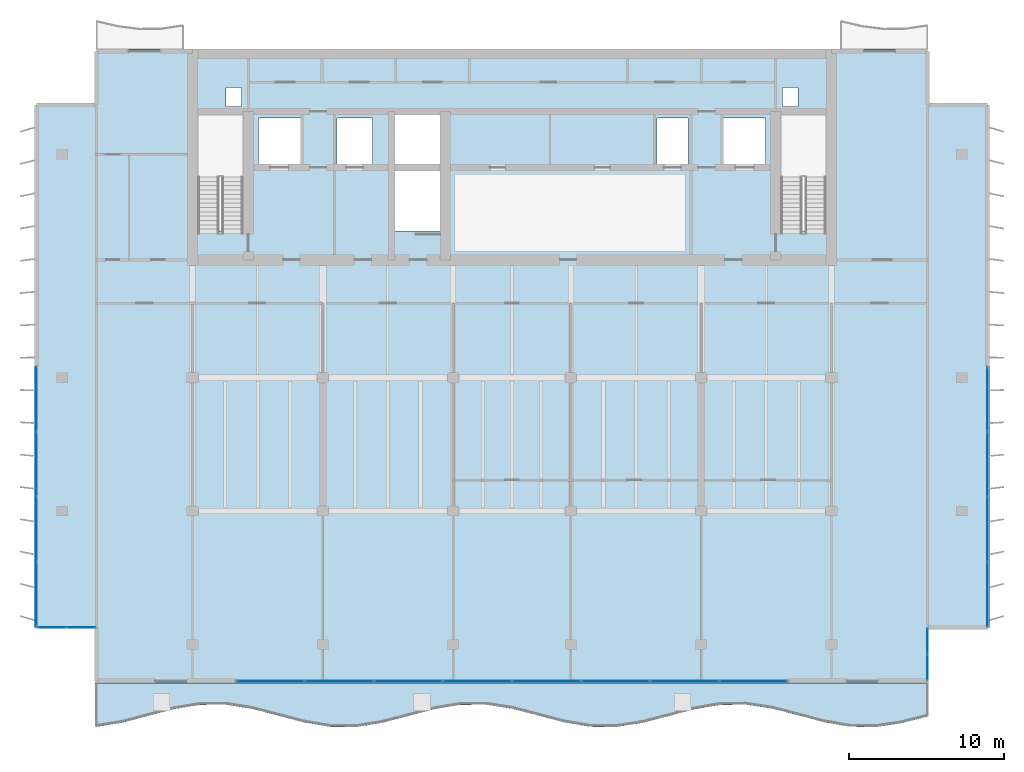
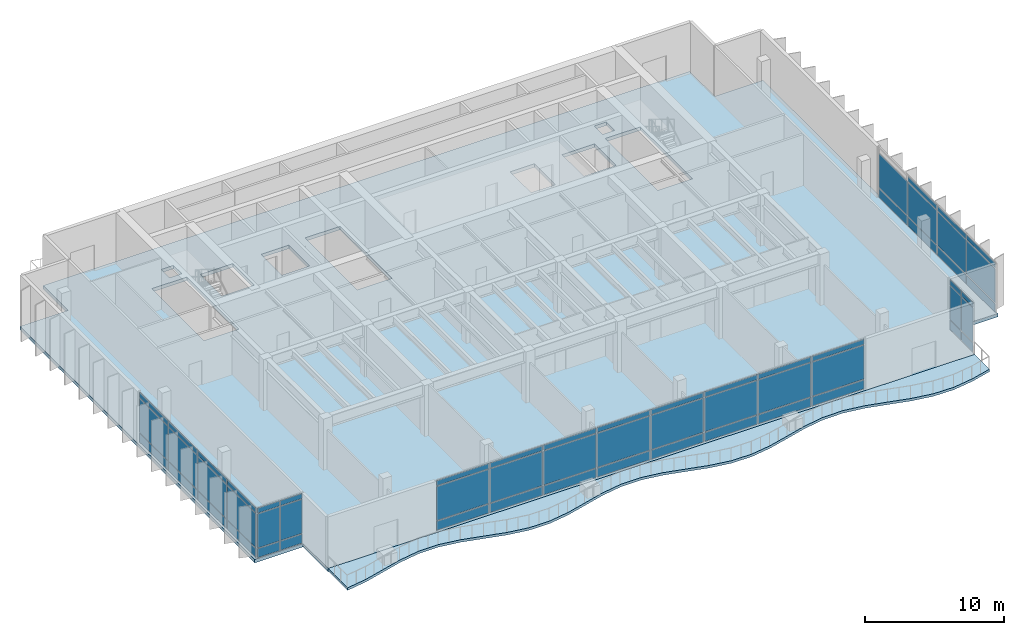
# One storey, part 5 of 14: 59 plates, 2 slabs, 5 elements without a shape of their own.
"""IFC4 building model written with IfcOpenShell, lengths in metres."""

from ifc_helpers import new_model, si_unit, direction, frame, origin, origin_2d, place, context, subcontext, project, spatial, polyline, rectangle, outline, extrude, material, layer, layer_set, type_object, element, aggregate, save


model = new_model("IFC4")

# Units and contexts
model_context = context("Model", 3, precision=1e-05, world=origin(), true_north=direction((0.0, 1.0)))
body_context = subcontext(model_context, "Body", "Model", "MODEL_VIEW")
ifc_project = project(units=[si_unit("LENGTHUNIT", "METRE"), si_unit("AREAUNIT", "SQUARE_METRE"), si_unit("VOLUMEUNIT", "CUBIC_METRE"), si_unit("PLANEANGLEUNIT", "RADIAN"), si_unit("MASSUNIT", "GRAM", prefix="KILO")], contexts=[model_context])

# Site, building, storey
site_placement = place(None, origin())
site = spatial("IfcSite", under=ifc_project, at=site_placement, CompositionType="ELEMENT")
building_placement = place(site_placement, origin())
building = spatial("IfcBuilding", under=site, at=building_placement, Name="Caelmar Bay Residences", CompositionType="ELEMENT")
storey_placement = place(building_placement, frame((0.0, 0.0, 269.39990234375)))
storey = spatial("IfcBuildingStorey", under=building, at=storey_placement, Name="L76", CompositionType="ELEMENT", Elevation=269.39990234375)

# Curtain wall, plates
ifc_material_1 = material(Name="Anodised bronze aluminium 6063-T6 and laminated glass", Category="aluminium")
ifc_layer_1 = layer(ifc_material_1, 0.179931640625)
ifc_layer_set_1 = layer_set([ifc_layer_1], Name="Anodised bronze aluminium 6063-T6 and laminated glass")
curtain_wall_type_1 = type_object("IfcCurtainWallType", Name="CW6-NTC", PredefinedType="NOTDEFINED", material=ifc_layer_set_1)
curtain_wall_1_placement = place(storey_placement, origin())
curtain_wall_1 = element("IfcCurtainWall", 1, at=curtain_wall_1_placement, inside=storey, type_object=curtain_wall_type_1, Name="CW6 curtain wall L76", PredefinedType="NOTDEFINED")
ifc_material_2 = material(Name="Bronze-tinted laminated low-E hurricane glass 28 mm", Category="glass")
ifc_layer_2 = layer(ifc_material_2, 0.028076171875)
ifc_layer_set_2 = layer_set([ifc_layer_2], Name="Bronze-tinted laminated low-E hurricane glass 28 mm")
plate_type_1 = type_object("IfcPlateType", Name="CWP-GLZ28", PredefinedType="CURTAIN_PANEL", material=ifc_layer_set_2)
plate_1_placement = place(storey_placement, frame((9.232421875, 13.300048828125, 0.080078125), z_axis=(0.0, 0.0, 1.0), x_axis=(1.0, 0.0, 0.0)))
plate_1 = element("IfcPlate", 2, at=plate_1_placement, type_object=plate_type_1, Name="CW6 panel 1.1", PredefinedType="CURTAIN_PANEL", context=body_context, shape_type="SweptSolid", body=[
    extrude(rectangle(XDim=1.804931640625, YDim=0.028076171875, at=origin_2d()), origin(), (0.0, 0.0, 1.0), 0.780029296875),
])
plate_2_placement = place(storey_placement, frame((9.232421875, 13.300048828125, 0.93994140625), z_axis=(0.0, 0.0, 1.0), x_axis=(1.0, 0.0, 0.0)))
plate_2 = element("IfcPlate", 3, at=plate_2_placement, type_object=plate_type_1, Name="CW6 panel 1.2", PredefinedType="CURTAIN_PANEL", context=body_context, shape_type="SweptSolid", body=[
    extrude(rectangle(XDim=1.804931640625, YDim=0.028076171875, at=origin_2d()), origin(), (0.0, 0.0, 1.0), 2.969970703125),
])
plate_3_placement = place(storey_placement, frame((9.232421875, 13.300048828125, 3.990234375), z_axis=(0.0, 0.0, 1.0), x_axis=(1.0, 0.0, 0.0)))
plate_3 = element("IfcPlate", 4, at=plate_3_placement, type_object=plate_type_1, Name="CW6 panel 1.3", PredefinedType="CURTAIN_PANEL", context=body_context, shape_type="SweptSolid", body=[
    extrude(rectangle(XDim=1.804931640625, YDim=0.028076171875, at=origin_2d()), origin(), (0.0, 0.0, 1.0), 0.429931640625),
])
plate_4_placement = place(storey_placement, frame((11.117431640625, 13.300048828125, 0.080078125), z_axis=(0.0, 0.0, 1.0), x_axis=(1.0, 0.0, 0.0)))
plate_4 = element("IfcPlate", 5, at=plate_4_placement, type_object=plate_type_1, Name="CW6 panel 2.1", PredefinedType="CURTAIN_PANEL", context=body_context, shape_type="SweptSolid", body=[
    extrude(rectangle(XDim=1.804931640625, YDim=0.028076171875, at=origin_2d()), origin(), (0.0, 0.0, 1.0), 0.780029296875),
])
plate_5_placement = place(storey_placement, frame((11.117431640625, 13.300048828125, 0.93994140625), z_axis=(0.0, 0.0, 1.0), x_axis=(1.0, 0.0, 0.0)))
plate_5 = element("IfcPlate", 6, at=plate_5_placement, type_object=plate_type_1, Name="CW6 panel 2.2", PredefinedType="CURTAIN_PANEL", context=body_context, shape_type="SweptSolid", body=[
    extrude(rectangle(XDim=1.804931640625, YDim=0.028076171875, at=origin_2d()), origin(), (0.0, 0.0, 1.0), 2.969970703125),
])
plate_6_placement = place(storey_placement, frame((11.117431640625, 13.300048828125, 3.990234375), z_axis=(0.0, 0.0, 1.0), x_axis=(1.0, 0.0, 0.0)))
plate_6 = element("IfcPlate", 7, at=plate_6_placement, type_object=plate_type_1, Name="CW6 panel 2.3", PredefinedType="CURTAIN_PANEL", context=body_context, shape_type="SweptSolid", body=[
    extrude(rectangle(XDim=1.804931640625, YDim=0.028076171875, at=origin_2d()), origin(), (0.0, 0.0, 1.0), 0.429931640625),
])
aggregate(curtain_wall_1, [plate_1, plate_2, plate_3, plate_4, plate_5, plate_6])

curtain_wall_2_placement = place(storey_placement, origin())
curtain_wall_2 = element("IfcCurtainWall", 8, at=curtain_wall_2_placement, inside=storey, type_object=curtain_wall_type_1, Name="CW6 curtain wall L76", PredefinedType="NOTDEFINED")
plate_7_placement = place(storey_placement, frame((65.699951171875, 10.732421875, 0.080078125), z_axis=(0.0, 0.0, 1.0), x_axis=(0.0, 1.0, 0.0)))
plate_7 = element("IfcPlate", 9, at=plate_7_placement, type_object=plate_type_1, Name="CW6 panel 1.1", PredefinedType="CURTAIN_PANEL", context=body_context, shape_type="SweptSolid", body=[
    extrude(rectangle(XDim=1.60498046875, YDim=0.028076171875, at=origin_2d()), origin(), (0.0, 0.0, 1.0), 0.780029296875),
])
plate_8_placement = place(storey_placement, frame((65.699951171875, 10.732421875, 0.93994140625), z_axis=(0.0, 0.0, 1.0), x_axis=(0.0, 1.0, 0.0)))
plate_8 = element("IfcPlate", 10, at=plate_8_placement, type_object=plate_type_1, Name="CW6 panel 1.2", PredefinedType="CURTAIN_PANEL", context=body_context, shape_type="SweptSolid", body=[
    extrude(rectangle(XDim=1.60498046875, YDim=0.028076171875, at=origin_2d()), origin(), (0.0, 0.0, 1.0), 2.969970703125),
])
plate_9_placement = place(storey_placement, frame((65.699951171875, 10.732421875, 3.990234375), z_axis=(0.0, 0.0, 1.0), x_axis=(0.0, 1.0, 0.0)))
plate_9 = element("IfcPlate", 11, at=plate_9_placement, type_object=plate_type_1, Name="CW6 panel 1.3", PredefinedType="CURTAIN_PANEL", context=body_context, shape_type="SweptSolid", body=[
    extrude(rectangle(XDim=1.60498046875, YDim=0.028076171875, at=origin_2d()), origin(), (0.0, 0.0, 1.0), 0.429931640625),
])
plate_10_placement = place(storey_placement, frame((65.699951171875, 12.41748046875, 0.080078125), z_axis=(0.0, 0.0, 1.0), x_axis=(0.0, 1.0, 0.0)))
plate_10 = element("IfcPlate", 12, at=plate_10_placement, type_object=plate_type_1, Name="CW6 panel 2.1", PredefinedType="CURTAIN_PANEL", context=body_context, shape_type="SweptSolid", body=[
    extrude(rectangle(XDim=1.60498046875, YDim=0.028076171875, at=origin_2d()), origin(), (0.0, 0.0, 1.0), 0.780029296875),
])
plate_11_placement = place(storey_placement, frame((65.699951171875, 12.41748046875, 0.93994140625), z_axis=(0.0, 0.0, 1.0), x_axis=(0.0, 1.0, 0.0)))
plate_11 = element("IfcPlate", 13, at=plate_11_placement, type_object=plate_type_1, Name="CW6 panel 2.2", PredefinedType="CURTAIN_PANEL", context=body_context, shape_type="SweptSolid", body=[
    extrude(rectangle(XDim=1.60498046875, YDim=0.028076171875, at=origin_2d()), origin(), (0.0, 0.0, 1.0), 2.969970703125),
])
plate_12_placement = place(storey_placement, frame((65.699951171875, 12.41748046875, 3.990234375), z_axis=(0.0, 0.0, 1.0), x_axis=(0.0, 1.0, 0.0)))
plate_12 = element("IfcPlate", 14, at=plate_12_placement, type_object=plate_type_1, Name="CW6 panel 2.3", PredefinedType="CURTAIN_PANEL", context=body_context, shape_type="SweptSolid", body=[
    extrude(rectangle(XDim=1.60498046875, YDim=0.028076171875, at=origin_2d()), origin(), (0.0, 0.0, 1.0), 0.429931640625),
])
aggregate(curtain_wall_2, [plate_7, plate_8, plate_9, plate_10, plate_11, plate_12])

ifc_layer_3 = layer(ifc_material_1, 0.179931640625)
ifc_layer_set_3 = layer_set([ifc_layer_3], Name="Anodised bronze aluminium 6063-T6 and laminated glass")
curtain_wall_type_2 = type_object("IfcCurtainWallType", Name="CW7-CRN", PredefinedType="NOTDEFINED", material=ifc_layer_set_3)
curtain_wall_3_placement = place(storey_placement, origin())
curtain_wall_3 = element("IfcCurtainWall", 15, at=curtain_wall_3_placement, inside=storey, type_object=curtain_wall_type_2, Name="CW7 curtain wall L76", PredefinedType="NOTDEFINED")
ifc_material_3 = material(Name="Bronze-tinted laminated low-E hurricane glass 32 mm", Category="glass")
ifc_layer_4 = layer(ifc_material_3, 0.031982421875)
ifc_layer_set_4 = layer_set([ifc_layer_4], Name="Bronze-tinted laminated low-E hurricane glass 32 mm")
plate_type_2 = type_object("IfcPlateType", Name="CWP-GLZ32", PredefinedType="CURTAIN_PANEL", material=ifc_layer_set_4)
plate_13_placement = place(storey_placement, frame((54.455078125, 9.85009765625, 0.080078125), z_axis=(0.0, 0.0, 1.0), x_axis=(-1.0, 0.0, 0.0)))
plate_13 = element("IfcPlate", 16, at=plate_13_placement, type_object=plate_type_2, Name="CW7 panel 1.1", PredefinedType="CURTAIN_PANEL", context=body_context, shape_type="SweptSolid", body=[
    extrude(rectangle(XDim=4.330078125, YDim=0.031982421875, at=origin_2d()), origin(), (0.0, 0.0, 1.0), 0.780029296875),
])
plate_14_placement = place(storey_placement, frame((54.455078125, 9.85009765625, 0.93994140625), z_axis=(0.0, 0.0, 1.0), x_axis=(-1.0, 0.0, 0.0)))
plate_14 = element("IfcPlate", 17, at=plate_14_placement, type_object=plate_type_2, Name="CW7 panel 1.2", PredefinedType="CURTAIN_PANEL", context=body_context, shape_type="SweptSolid", body=[
    extrude(rectangle(XDim=4.330078125, YDim=0.031982421875, at=origin_2d()), origin(), (0.0, 0.0, 1.0), 2.969970703125),
])
plate_15_placement = place(storey_placement, frame((54.455078125, 9.85009765625, 3.990234375), z_axis=(0.0, 0.0, 1.0), x_axis=(-1.0, 0.0, 0.0)))
plate_15 = element("IfcPlate", 18, at=plate_15_placement, type_object=plate_type_2, Name="CW7 panel 1.3", PredefinedType="CURTAIN_PANEL", context=body_context, shape_type="SweptSolid", body=[
    extrude(rectangle(XDim=4.330078125, YDim=0.031982421875, at=origin_2d()), origin(), (0.0, 0.0, 1.0), 0.429931640625),
])
plate_16_placement = place(storey_placement, frame((50.02490234375, 9.85009765625, 0.080078125), z_axis=(0.0, 0.0, 1.0), x_axis=(-1.0, 0.0, 0.0)))
plate_16 = element("IfcPlate", 19, at=plate_16_placement, type_object=plate_type_2, Name="CW7 panel 2.1", PredefinedType="CURTAIN_PANEL", context=body_context, shape_type="SweptSolid", body=[
    extrude(rectangle(XDim=4.3701171875, YDim=0.031982421875, at=origin_2d()), origin(), (0.0, 0.0, 1.0), 0.780029296875),
])
plate_17_placement = place(storey_placement, frame((50.02490234375, 9.85009765625, 0.93994140625), z_axis=(0.0, 0.0, 1.0), x_axis=(-1.0, 0.0, 0.0)))
plate_17 = element("IfcPlate", 20, at=plate_17_placement, type_object=plate_type_2, Name="CW7 panel 2.2", PredefinedType="CURTAIN_PANEL", context=body_context, shape_type="SweptSolid", body=[
    extrude(rectangle(XDim=4.3701171875, YDim=0.031982421875, at=origin_2d()), origin(), (0.0, 0.0, 1.0), 2.969970703125),
])
plate_18_placement = place(storey_placement, frame((50.02490234375, 9.85009765625, 3.990234375), z_axis=(0.0, 0.0, 1.0), x_axis=(-1.0, 0.0, 0.0)))
plate_18 = element("IfcPlate", 21, at=plate_18_placement, type_object=plate_type_2, Name="CW7 panel 2.3", PredefinedType="CURTAIN_PANEL", context=body_context, shape_type="SweptSolid", body=[
    extrude(rectangle(XDim=4.3701171875, YDim=0.031982421875, at=origin_2d()), origin(), (0.0, 0.0, 1.0), 0.429931640625),
])
plate_19_placement = place(storey_placement, frame((45.574951171875, 9.85009765625, 0.080078125), z_axis=(0.0, 0.0, 1.0), x_axis=(-1.0, 0.0, 0.0)))
plate_19 = element("IfcPlate", 22, at=plate_19_placement, type_object=plate_type_2, Name="CW7 panel 3.1", PredefinedType="CURTAIN_PANEL", context=body_context, shape_type="SweptSolid", body=[
    extrude(rectangle(XDim=4.3701171875, YDim=0.031982421875, at=origin_2d()), origin(), (0.0, 0.0, 1.0), 0.780029296875),
])
plate_20_placement = place(storey_placement, frame((45.574951171875, 9.85009765625, 0.93994140625), z_axis=(0.0, 0.0, 1.0), x_axis=(-1.0, 0.0, 0.0)))
plate_20 = element("IfcPlate", 23, at=plate_20_placement, type_object=plate_type_2, Name="CW7 panel 3.2", PredefinedType="CURTAIN_PANEL", context=body_context, shape_type="SweptSolid", body=[
    extrude(rectangle(XDim=4.3701171875, YDim=0.031982421875, at=origin_2d()), origin(), (0.0, 0.0, 1.0), 2.969970703125),
])
plate_21_placement = place(storey_placement, frame((45.574951171875, 9.85009765625, 3.990234375), z_axis=(0.0, 0.0, 1.0), x_axis=(-1.0, 0.0, 0.0)))
plate_21 = element("IfcPlate", 24, at=plate_21_placement, type_object=plate_type_2, Name="CW7 panel 3.3", PredefinedType="CURTAIN_PANEL", context=body_context, shape_type="SweptSolid", body=[
    extrude(rectangle(XDim=4.3701171875, YDim=0.031982421875, at=origin_2d()), origin(), (0.0, 0.0, 1.0), 0.429931640625),
])
plate_22_placement = place(storey_placement, frame((41.125, 9.85009765625, 0.080078125), z_axis=(0.0, 0.0, 1.0), x_axis=(-1.0, 0.0, 0.0)))
plate_22 = element("IfcPlate", 25, at=plate_22_placement, type_object=plate_type_2, Name="CW7 panel 4.1", PredefinedType="CURTAIN_PANEL", context=body_context, shape_type="SweptSolid", body=[
    extrude(rectangle(XDim=4.3701171875, YDim=0.031982421875, at=origin_2d()), origin(), (0.0, 0.0, 1.0), 0.780029296875),
])
plate_23_placement = place(storey_placement, frame((41.125, 9.85009765625, 0.93994140625), z_axis=(0.0, 0.0, 1.0), x_axis=(-1.0, 0.0, 0.0)))
plate_23 = element("IfcPlate", 26, at=plate_23_placement, type_object=plate_type_2, Name="CW7 panel 4.2", PredefinedType="CURTAIN_PANEL", context=body_context, shape_type="SweptSolid", body=[
    extrude(rectangle(XDim=4.3701171875, YDim=0.031982421875, at=origin_2d()), origin(), (0.0, 0.0, 1.0), 2.969970703125),
])
plate_24_placement = place(storey_placement, frame((41.125, 9.85009765625, 3.990234375), z_axis=(0.0, 0.0, 1.0), x_axis=(-1.0, 0.0, 0.0)))
plate_24 = element("IfcPlate", 27, at=plate_24_placement, type_object=plate_type_2, Name="CW7 panel 4.3", PredefinedType="CURTAIN_PANEL", context=body_context, shape_type="SweptSolid", body=[
    extrude(rectangle(XDim=4.3701171875, YDim=0.031982421875, at=origin_2d()), origin(), (0.0, 0.0, 1.0), 0.429931640625),
])
plate_25_placement = place(storey_placement, frame((36.675048828125, 9.85009765625, 0.080078125), z_axis=(0.0, 0.0, 1.0), x_axis=(-1.0, 0.0, 0.0)))
plate_25 = element("IfcPlate", 28, at=plate_25_placement, type_object=plate_type_2, Name="CW7 panel 5.1", PredefinedType="CURTAIN_PANEL", context=body_context, shape_type="SweptSolid", body=[
    extrude(rectangle(XDim=4.3701171875, YDim=0.031982421875, at=origin_2d()), origin(), (0.0, 0.0, 1.0), 0.780029296875),
])
plate_26_placement = place(storey_placement, frame((36.675048828125, 9.85009765625, 0.93994140625), z_axis=(0.0, 0.0, 1.0), x_axis=(-1.0, 0.0, 0.0)))
plate_26 = element("IfcPlate", 29, at=plate_26_placement, type_object=plate_type_2, Name="CW7 panel 5.2", PredefinedType="CURTAIN_PANEL", context=body_context, shape_type="SweptSolid", body=[
    extrude(rectangle(XDim=4.3701171875, YDim=0.031982421875, at=origin_2d()), origin(), (0.0, 0.0, 1.0), 2.969970703125),
])
plate_27_placement = place(storey_placement, frame((36.675048828125, 9.85009765625, 3.990234375), z_axis=(0.0, 0.0, 1.0), x_axis=(-1.0, 0.0, 0.0)))
plate_27 = element("IfcPlate", 30, at=plate_27_placement, type_object=plate_type_2, Name="CW7 panel 5.3", PredefinedType="CURTAIN_PANEL", context=body_context, shape_type="SweptSolid", body=[
    extrude(rectangle(XDim=4.3701171875, YDim=0.031982421875, at=origin_2d()), origin(), (0.0, 0.0, 1.0), 0.429931640625),
])
plate_28_placement = place(storey_placement, frame((32.22509765625, 9.85009765625, 0.080078125), z_axis=(0.0, 0.0, 1.0), x_axis=(-1.0, 0.0, 0.0)))
plate_28 = element("IfcPlate", 31, at=plate_28_placement, type_object=plate_type_2, Name="CW7 panel 6.1", PredefinedType="CURTAIN_PANEL", context=body_context, shape_type="SweptSolid", body=[
    extrude(rectangle(XDim=4.3701171875, YDim=0.031982421875, at=origin_2d()), origin(), (0.0, 0.0, 1.0), 0.780029296875),
])
plate_29_placement = place(storey_placement, frame((32.22509765625, 9.85009765625, 0.93994140625), z_axis=(0.0, 0.0, 1.0), x_axis=(-1.0, 0.0, 0.0)))
plate_29 = element("IfcPlate", 32, at=plate_29_placement, type_object=plate_type_2, Name="CW7 panel 6.2", PredefinedType="CURTAIN_PANEL", context=body_context, shape_type="SweptSolid", body=[
    extrude(rectangle(XDim=4.3701171875, YDim=0.031982421875, at=origin_2d()), origin(), (0.0, 0.0, 1.0), 2.969970703125),
])
plate_30_placement = place(storey_placement, frame((32.22509765625, 9.85009765625, 3.990234375), z_axis=(0.0, 0.0, 1.0), x_axis=(-1.0, 0.0, 0.0)))
plate_30 = element("IfcPlate", 33, at=plate_30_placement, type_object=plate_type_2, Name="CW7 panel 6.3", PredefinedType="CURTAIN_PANEL", context=body_context, shape_type="SweptSolid", body=[
    extrude(rectangle(XDim=4.3701171875, YDim=0.031982421875, at=origin_2d()), origin(), (0.0, 0.0, 1.0), 0.429931640625),
])
plate_31_placement = place(storey_placement, frame((27.77490234375, 9.85009765625, 0.080078125), z_axis=(0.0, 0.0, 1.0), x_axis=(-1.0, 0.0, 0.0)))
plate_31 = element("IfcPlate", 34, at=plate_31_placement, type_object=plate_type_2, Name="CW7 panel 7.1", PredefinedType="CURTAIN_PANEL", context=body_context, shape_type="SweptSolid", body=[
    extrude(rectangle(XDim=4.3701171875, YDim=0.031982421875, at=origin_2d()), origin(), (0.0, 0.0, 1.0), 0.780029296875),
])
plate_32_placement = place(storey_placement, frame((27.77490234375, 9.85009765625, 0.93994140625), z_axis=(0.0, 0.0, 1.0), x_axis=(-1.0, 0.0, 0.0)))
plate_32 = element("IfcPlate", 35, at=plate_32_placement, type_object=plate_type_2, Name="CW7 panel 7.2", PredefinedType="CURTAIN_PANEL", context=body_context, shape_type="SweptSolid", body=[
    extrude(rectangle(XDim=4.3701171875, YDim=0.031982421875, at=origin_2d()), origin(), (0.0, 0.0, 1.0), 2.969970703125),
])
plate_33_placement = place(storey_placement, frame((27.77490234375, 9.85009765625, 3.990234375), z_axis=(0.0, 0.0, 1.0), x_axis=(-1.0, 0.0, 0.0)))
plate_33 = element("IfcPlate", 36, at=plate_33_placement, type_object=plate_type_2, Name="CW7 panel 7.3", PredefinedType="CURTAIN_PANEL", context=body_context, shape_type="SweptSolid", body=[
    extrude(rectangle(XDim=4.3701171875, YDim=0.031982421875, at=origin_2d()), origin(), (0.0, 0.0, 1.0), 0.429931640625),
])
plate_34_placement = place(storey_placement, frame((23.344970703125, 9.85009765625, 0.080078125), z_axis=(0.0, 0.0, 1.0), x_axis=(-1.0, 0.0, 0.0)))
plate_34 = element("IfcPlate", 37, at=plate_34_placement, type_object=plate_type_2, Name="CW7 panel 8.1", PredefinedType="CURTAIN_PANEL", context=body_context, shape_type="SweptSolid", body=[
    extrude(rectangle(XDim=4.330078125, YDim=0.031982421875, at=origin_2d()), origin(), (0.0, 0.0, 1.0), 0.780029296875),
])
plate_35_placement = place(storey_placement, frame((23.344970703125, 9.85009765625, 0.93994140625), z_axis=(0.0, 0.0, 1.0), x_axis=(-1.0, 0.0, 0.0)))
plate_35 = element("IfcPlate", 38, at=plate_35_placement, type_object=plate_type_2, Name="CW7 panel 8.2", PredefinedType="CURTAIN_PANEL", context=body_context, shape_type="SweptSolid", body=[
    extrude(rectangle(XDim=4.330078125, YDim=0.031982421875, at=origin_2d()), origin(), (0.0, 0.0, 1.0), 2.969970703125),
])
plate_36_placement = place(storey_placement, frame((23.344970703125, 9.85009765625, 3.990234375), z_axis=(0.0, 0.0, 1.0), x_axis=(-1.0, 0.0, 0.0)))
plate_36 = element("IfcPlate", 39, at=plate_36_placement, type_object=plate_type_2, Name="CW7 panel 8.3", PredefinedType="CURTAIN_PANEL", context=body_context, shape_type="SweptSolid", body=[
    extrude(rectangle(XDim=4.330078125, YDim=0.031982421875, at=origin_2d()), origin(), (0.0, 0.0, 1.0), 0.429931640625),
])
aggregate(curtain_wall_3, [plate_13, plate_14, plate_15, plate_16, plate_17, plate_18, plate_19, plate_20, plate_21, plate_22, plate_23, plate_24, plate_25, plate_26, plate_27, plate_28, plate_29, plate_30, plate_31, plate_32, plate_33, plate_34, plate_35, plate_36])

curtain_wall_4_placement = place(storey_placement, origin())
curtain_wall_4 = element("IfcCurtainWall", 40, at=curtain_wall_4_placement, inside=storey, type_object=curtain_wall_type_2, Name="CW7 curtain wall L76", PredefinedType="NOTDEFINED")
plate_37_placement = place(storey_placement, frame((8.25, 15.42626953125, 0.080078125), z_axis=(0.0, 0.0, 1.0), x_axis=(0.0, 1.0, 0.0)))
plate_37 = element("IfcPlate", 41, at=plate_37_placement, type_object=plate_type_2, Name="CW7 panel 1.1", PredefinedType="CURTAIN_PANEL", context=body_context, shape_type="SweptSolid", body=[
    extrude(rectangle(XDim=4.092529296875, YDim=0.031982421875, at=origin_2d()), origin(), (0.0, 0.0, 1.0), 0.780029296875),
])
plate_38_placement = place(storey_placement, frame((8.25, 15.42626953125, 0.93994140625), z_axis=(0.0, 0.0, 1.0), x_axis=(0.0, 1.0, 0.0)))
plate_38 = element("IfcPlate", 42, at=plate_38_placement, type_object=plate_type_2, Name="CW7 panel 1.2", PredefinedType="CURTAIN_PANEL", context=body_context, shape_type="SweptSolid", body=[
    extrude(rectangle(XDim=4.092529296875, YDim=0.031982421875, at=origin_2d()), origin(), (0.0, 0.0, 1.0), 2.969970703125),
])
plate_39_placement = place(storey_placement, frame((8.25, 15.42626953125, 3.990234375), z_axis=(0.0, 0.0, 1.0), x_axis=(0.0, 1.0, 0.0)))
plate_39 = element("IfcPlate", 43, at=plate_39_placement, type_object=plate_type_2, Name="CW7 panel 1.3", PredefinedType="CURTAIN_PANEL", context=body_context, shape_type="SweptSolid", body=[
    extrude(rectangle(XDim=4.092529296875, YDim=0.031982421875, at=origin_2d()), origin(), (0.0, 0.0, 1.0), 0.429931640625),
])
plate_40_placement = place(storey_placement, frame((8.25, 19.61865234375, 0.080078125), z_axis=(0.0, 0.0, 1.0), x_axis=(0.0, 1.0, 0.0)))
plate_40 = element("IfcPlate", 44, at=plate_40_placement, type_object=plate_type_2, Name="CW7 panel 2.1", PredefinedType="CURTAIN_PANEL", context=body_context, shape_type="SweptSolid", body=[
    extrude(rectangle(XDim=4.132568359375, YDim=0.031982421875, at=origin_2d()), origin(), (0.0, 0.0, 1.0), 0.780029296875),
])
plate_41_placement = place(storey_placement, frame((8.25, 19.61865234375, 0.93994140625), z_axis=(0.0, 0.0, 1.0), x_axis=(0.0, 1.0, 0.0)))
plate_41 = element("IfcPlate", 45, at=plate_41_placement, type_object=plate_type_2, Name="CW7 panel 2.2", PredefinedType="CURTAIN_PANEL", context=body_context, shape_type="SweptSolid", body=[
    extrude(rectangle(XDim=4.132568359375, YDim=0.031982421875, at=origin_2d()), origin(), (0.0, 0.0, 1.0), 2.969970703125),
])
plate_42_placement = place(storey_placement, frame((8.25, 19.61865234375, 3.990234375), z_axis=(0.0, 0.0, 1.0), x_axis=(0.0, 1.0, 0.0)))
plate_42 = element("IfcPlate", 46, at=plate_42_placement, type_object=plate_type_2, Name="CW7 panel 2.3", PredefinedType="CURTAIN_PANEL", context=body_context, shape_type="SweptSolid", body=[
    extrude(rectangle(XDim=4.132568359375, YDim=0.031982421875, at=origin_2d()), origin(), (0.0, 0.0, 1.0), 0.429931640625),
])
plate_43_placement = place(storey_placement, frame((8.25, 23.831298828125, 0.080078125), z_axis=(0.0, 0.0, 1.0), x_axis=(0.0, 1.0, 0.0)))
plate_43 = element("IfcPlate", 47, at=plate_43_placement, type_object=plate_type_2, Name="CW7 panel 3.1", PredefinedType="CURTAIN_PANEL", context=body_context, shape_type="SweptSolid", body=[
    extrude(rectangle(XDim=4.132568359375, YDim=0.031982421875, at=origin_2d()), origin(), (0.0, 0.0, 1.0), 0.780029296875),
])
plate_44_placement = place(storey_placement, frame((8.25, 23.831298828125, 0.93994140625), z_axis=(0.0, 0.0, 1.0), x_axis=(0.0, 1.0, 0.0)))
plate_44 = element("IfcPlate", 48, at=plate_44_placement, type_object=plate_type_2, Name="CW7 panel 3.2", PredefinedType="CURTAIN_PANEL", context=body_context, shape_type="SweptSolid", body=[
    extrude(rectangle(XDim=4.132568359375, YDim=0.031982421875, at=origin_2d()), origin(), (0.0, 0.0, 1.0), 2.969970703125),
])
plate_45_placement = place(storey_placement, frame((8.25, 23.831298828125, 3.990234375), z_axis=(0.0, 0.0, 1.0), x_axis=(0.0, 1.0, 0.0)))
plate_45 = element("IfcPlate", 49, at=plate_45_placement, type_object=plate_type_2, Name="CW7 panel 3.3", PredefinedType="CURTAIN_PANEL", context=body_context, shape_type="SweptSolid", body=[
    extrude(rectangle(XDim=4.132568359375, YDim=0.031982421875, at=origin_2d()), origin(), (0.0, 0.0, 1.0), 0.429931640625),
])
plate_46_placement = place(storey_placement, frame((8.25, 28.023681640625, 0.080078125), z_axis=(0.0, 0.0, 1.0), x_axis=(0.0, 1.0, 0.0)))
plate_46 = element("IfcPlate", 50, at=plate_46_placement, type_object=plate_type_2, Name="CW7 panel 4.1", PredefinedType="CURTAIN_PANEL", context=body_context, shape_type="SweptSolid", body=[
    extrude(rectangle(XDim=4.092529296875, YDim=0.031982421875, at=origin_2d()), origin(), (0.0, 0.0, 1.0), 0.780029296875),
])
plate_47_placement = place(storey_placement, frame((8.25, 28.023681640625, 0.93994140625), z_axis=(0.0, 0.0, 1.0), x_axis=(0.0, 1.0, 0.0)))
plate_47 = element("IfcPlate", 51, at=plate_47_placement, type_object=plate_type_2, Name="CW7 panel 4.2", PredefinedType="CURTAIN_PANEL", context=body_context, shape_type="SweptSolid", body=[
    extrude(rectangle(XDim=4.092529296875, YDim=0.031982421875, at=origin_2d()), origin(), (0.0, 0.0, 1.0), 2.969970703125),
])
plate_48_placement = place(storey_placement, frame((8.25, 28.023681640625, 3.990234375), z_axis=(0.0, 0.0, 1.0), x_axis=(0.0, 1.0, 0.0)))
plate_48 = element("IfcPlate", 52, at=plate_48_placement, type_object=plate_type_2, Name="CW7 panel 4.3", PredefinedType="CURTAIN_PANEL", context=body_context, shape_type="SweptSolid", body=[
    extrude(rectangle(XDim=4.092529296875, YDim=0.031982421875, at=origin_2d()), origin(), (0.0, 0.0, 1.0), 0.429931640625),
])
aggregate(curtain_wall_4, [plate_37, plate_38, plate_39, plate_40, plate_41, plate_42, plate_43, plate_44, plate_45, plate_46, plate_47, plate_48])

curtain_wall_5_placement = place(storey_placement, origin())
curtain_wall_5 = element("IfcCurtainWall", 53, at=curtain_wall_5_placement, inside=storey, type_object=curtain_wall_type_2, Name="CW7 curtain wall L76", PredefinedType="NOTDEFINED")
plate_49_placement = place(storey_placement, frame((69.550048828125, 28.023681640625, 0.080078125), z_axis=(0.0, 0.0, 1.0), x_axis=(0.0, -1.0, 0.0)))
plate_49 = element("IfcPlate", 54, at=plate_49_placement, type_object=plate_type_2, Name="CW7 panel 1.1", PredefinedType="CURTAIN_PANEL", context=body_context, shape_type="SweptSolid", body=[
    extrude(rectangle(XDim=4.092529296875, YDim=0.031982421875, at=origin_2d()), origin(), (0.0, 0.0, 1.0), 0.780029296875),
])
plate_50_placement = place(storey_placement, frame((69.550048828125, 28.023681640625, 0.93994140625), z_axis=(0.0, 0.0, 1.0), x_axis=(0.0, -1.0, 0.0)))
plate_50 = element("IfcPlate", 55, at=plate_50_placement, type_object=plate_type_2, Name="CW7 panel 1.2", PredefinedType="CURTAIN_PANEL", context=body_context, shape_type="SweptSolid", body=[
    extrude(rectangle(XDim=4.092529296875, YDim=0.031982421875, at=origin_2d()), origin(), (0.0, 0.0, 1.0), 2.969970703125),
])
plate_51_placement = place(storey_placement, frame((69.550048828125, 23.831298828125, 0.080078125), z_axis=(0.0, 0.0, 1.0), x_axis=(0.0, -1.0, 0.0)))
plate_51 = element("IfcPlate", 56, at=plate_51_placement, type_object=plate_type_2, Name="CW7 panel 2.1", PredefinedType="CURTAIN_PANEL", context=body_context, shape_type="SweptSolid", body=[
    extrude(rectangle(XDim=4.132568359375, YDim=0.031982421875, at=origin_2d()), origin(), (0.0, 0.0, 1.0), 0.780029296875),
])
plate_52_placement = place(storey_placement, frame((69.550048828125, 23.831298828125, 0.93994140625), z_axis=(0.0, 0.0, 1.0), x_axis=(0.0, -1.0, 0.0)))
plate_52 = element("IfcPlate", 57, at=plate_52_placement, type_object=plate_type_2, Name="CW7 panel 2.2", PredefinedType="CURTAIN_PANEL", context=body_context, shape_type="SweptSolid", body=[
    extrude(rectangle(XDim=4.132568359375, YDim=0.031982421875, at=origin_2d()), origin(), (0.0, 0.0, 1.0), 2.969970703125),
])
plate_53_placement = place(storey_placement, frame((69.550048828125, 23.831298828125, 3.990234375), z_axis=(0.0, 0.0, 1.0), x_axis=(0.0, -1.0, 0.0)))
plate_53 = element("IfcPlate", 58, at=plate_53_placement, type_object=plate_type_2, Name="CW7 panel 2.3", PredefinedType="CURTAIN_PANEL", context=body_context, shape_type="SweptSolid", body=[
    extrude(rectangle(XDim=4.132568359375, YDim=0.031982421875, at=origin_2d()), origin(), (0.0, 0.0, 1.0), 0.429931640625),
])
plate_54_placement = place(storey_placement, frame((69.550048828125, 19.61865234375, 0.080078125), z_axis=(0.0, 0.0, 1.0), x_axis=(0.0, -1.0, 0.0)))
plate_54 = element("IfcPlate", 59, at=plate_54_placement, type_object=plate_type_2, Name="CW7 panel 3.1", PredefinedType="CURTAIN_PANEL", context=body_context, shape_type="SweptSolid", body=[
    extrude(rectangle(XDim=4.132568359375, YDim=0.031982421875, at=origin_2d()), origin(), (0.0, 0.0, 1.0), 0.780029296875),
])
plate_55_placement = place(storey_placement, frame((69.550048828125, 19.61865234375, 0.93994140625), z_axis=(0.0, 0.0, 1.0), x_axis=(0.0, -1.0, 0.0)))
plate_55 = element("IfcPlate", 60, at=plate_55_placement, type_object=plate_type_2, Name="CW7 panel 3.2", PredefinedType="CURTAIN_PANEL", context=body_context, shape_type="SweptSolid", body=[
    extrude(rectangle(XDim=4.132568359375, YDim=0.031982421875, at=origin_2d()), origin(), (0.0, 0.0, 1.0), 2.969970703125),
])
plate_56_placement = place(storey_placement, frame((69.550048828125, 19.61865234375, 3.990234375), z_axis=(0.0, 0.0, 1.0), x_axis=(0.0, -1.0, 0.0)))
plate_56 = element("IfcPlate", 61, at=plate_56_placement, type_object=plate_type_2, Name="CW7 panel 3.3", PredefinedType="CURTAIN_PANEL", context=body_context, shape_type="SweptSolid", body=[
    extrude(rectangle(XDim=4.132568359375, YDim=0.031982421875, at=origin_2d()), origin(), (0.0, 0.0, 1.0), 0.429931640625),
])
plate_57_placement = place(storey_placement, frame((69.550048828125, 15.42626953125, 0.080078125), z_axis=(0.0, 0.0, 1.0), x_axis=(0.0, -1.0, 0.0)))
plate_57 = element("IfcPlate", 62, at=plate_57_placement, type_object=plate_type_2, Name="CW7 panel 4.1", PredefinedType="CURTAIN_PANEL", context=body_context, shape_type="SweptSolid", body=[
    extrude(rectangle(XDim=4.092529296875, YDim=0.031982421875, at=origin_2d()), origin(), (0.0, 0.0, 1.0), 0.780029296875),
])
plate_58_placement = place(storey_placement, frame((69.550048828125, 15.42626953125, 0.93994140625), z_axis=(0.0, 0.0, 1.0), x_axis=(0.0, -1.0, 0.0)))
plate_58 = element("IfcPlate", 63, at=plate_58_placement, type_object=plate_type_2, Name="CW7 panel 4.2", PredefinedType="CURTAIN_PANEL", context=body_context, shape_type="SweptSolid", body=[
    extrude(rectangle(XDim=4.092529296875, YDim=0.031982421875, at=origin_2d()), origin(), (0.0, 0.0, 1.0), 2.969970703125),
])
plate_59_placement = place(storey_placement, frame((69.550048828125, 15.42626953125, 3.990234375), z_axis=(0.0, 0.0, 1.0), x_axis=(0.0, -1.0, 0.0)))
plate_59 = element("IfcPlate", 64, at=plate_59_placement, type_object=plate_type_2, Name="CW7 panel 4.3", PredefinedType="CURTAIN_PANEL", context=body_context, shape_type="SweptSolid", body=[
    extrude(rectangle(XDim=4.092529296875, YDim=0.031982421875, at=origin_2d()), origin(), (0.0, 0.0, 1.0), 0.429931640625),
])
aggregate(curtain_wall_5, [plate_49, plate_50, plate_51, plate_52, plate_53, plate_54, plate_55, plate_56, plate_57, plate_58, plate_59])

# Slabs
ifc_material_4 = material(Name="Concrete f'c 40 MPa (6,000 psi)", Category="concrete")
ifc_layer_5 = layer(ifc_material_4, 0.219970703125)
ifc_layer_set_5 = layer_set([ifc_layer_5], Name="Concrete f'c 40 MPa (6,000 psi)")
slab_type_1 = type_object("IfcSlabType", Name="SLB-BAL-220", PredefinedType="FLOOR", material=ifc_layer_set_5)
slab_1_placement = place(storey_placement, frame((0.0, 0.0, -0.219970703125)))
element("IfcSlab", 65, at=slab_1_placement, inside=storey, type_object=slab_type_1, Name="L76 Sinusoidal Tree-Balcony Slab south", PredefinedType="FLOOR", context=body_context, shape_type="SweptSolid", body=[
    extrude(outline(polyline([(12.10009765625, 6.88671875), (13.77490234375, 7.157958984375), (15.449951171875, 7.59716796875), (17.125, 8.037353515625), (18.800048828125, 8.3115234375), (20.47509765625, 8.3154296875), (22.14990234375, 8.047607421875), (23.824951171875, 7.60986328125), (25.5, 7.168212890625), (27.175048828125, 6.890625), (28.85009765625, 6.882568359375), (30.52490234375, 7.146728515625), (32.199951171875, 7.583251953125), (33.875, 8.02587890625), (35.550048828125, 8.306884765625), (37.22509765625, 8.319580078125), (38.89990234375, 8.058837890625), (40.574951171875, 7.623779296875), (42.25, 7.1796875), (43.925048828125, 6.8955078125), (45.60009765625, 6.87841796875), (47.27490234375, 7.1357421875), (48.949951171875, 7.569091796875), (50.625, 8.014404296875), (52.300048828125, 8.30224609375), (53.97509765625, 8.3232421875), (55.64990234375, 8.06982421875), (57.324951171875, 7.637939453125), (59.0, 7.19140625), (60.675048828125, 6.900390625), (62.35009765625, 6.874755859375), (64.02490234375, 7.124755859375), (65.699951171875, 7.55517578125), (65.699951171875, 9.699951171875), (12.10009765625, 9.699951171875), (12.10009765625, 6.88671875)])), origin(), (0.0, 0.0, 1.0), 0.219970703125),
])
ifc_layer_6 = layer(ifc_material_4, 0.300048828125)
ifc_layer_set_6 = layer_set([ifc_layer_6], Name="Concrete f'c 40 MPa (6,000 psi)")
slab_type_2 = type_object("IfcSlabType", Name="SLB-POD-300", PredefinedType="FLOOR", material=ifc_layer_set_6)
slab_2_placement = place(storey_placement, frame((0.0, 0.0, -0.2998046875)))
element("IfcSlab", 66, at=slab_2_placement, inside=storey, type_object=slab_type_2, Name="L76 Structural Floor Slab", PredefinedType="FLOOR", context=body_context, shape_type="SweptSolid", body=[
    extrude(outline(polyline([(12.10009765625, 9.699951171875), (65.699951171875, 9.699951171875), (65.699951171875, 13.300048828125), (69.699951171875, 13.300048828125), (69.699951171875, 47.0), (65.699951171875, 47.0), (65.699951171875, 50.60009765625), (12.10009765625, 50.60009765625), (12.10009765625, 47.0), (8.10009765625, 47.0), (8.10009765625, 13.300048828125), (12.10009765625, 13.300048828125), (12.10009765625, 9.699951171875)]), holes=[polyline([(18.64990234375, 38.85009765625), (21.550048828125, 38.85009765625), (21.550048828125, 46.35009765625), (18.64990234375, 46.35009765625), (18.64990234375, 38.85009765625)]), polyline([(56.25, 38.85009765625), (59.14990234375, 38.85009765625), (59.14990234375, 46.35009765625), (56.25, 46.35009765625), (56.25, 38.85009765625)]), polyline([(31.35009765625, 38.85009765625), (34.25, 38.85009765625), (34.25, 46.35009765625), (31.35009765625, 46.35009765625), (31.35009765625, 38.85009765625)]), polyline([(22.550048828125, 43.050048828125), (25.25, 43.050048828125), (25.25, 46.14990234375), (22.550048828125, 46.14990234375), (22.550048828125, 43.050048828125)]), polyline([(52.550048828125, 43.050048828125), (55.25, 43.050048828125), (55.25, 46.14990234375), (52.550048828125, 46.14990234375), (52.550048828125, 43.050048828125)]), polyline([(48.25, 43.14990234375), (50.25, 43.14990234375), (50.25, 46.14990234375), (48.25, 46.14990234375), (48.25, 43.14990234375)]), polyline([(27.60009765625, 43.14990234375), (29.89990234375, 43.14990234375), (29.89990234375, 46.14990234375), (27.60009765625, 46.14990234375), (27.60009765625, 43.14990234375)]), polyline([(20.449951171875, 46.89990234375), (21.449951171875, 46.89990234375), (21.449951171875, 48.10009765625), (20.449951171875, 48.10009765625), (20.449951171875, 46.89990234375)]), polyline([(56.35009765625, 46.89990234375), (57.35009765625, 46.89990234375), (57.35009765625, 48.10009765625), (56.35009765625, 48.10009765625), (56.35009765625, 46.89990234375)])]), origin(), (0.0, 0.0, 1.0), 0.2998046875),
])

save(model, "model.ifc")
